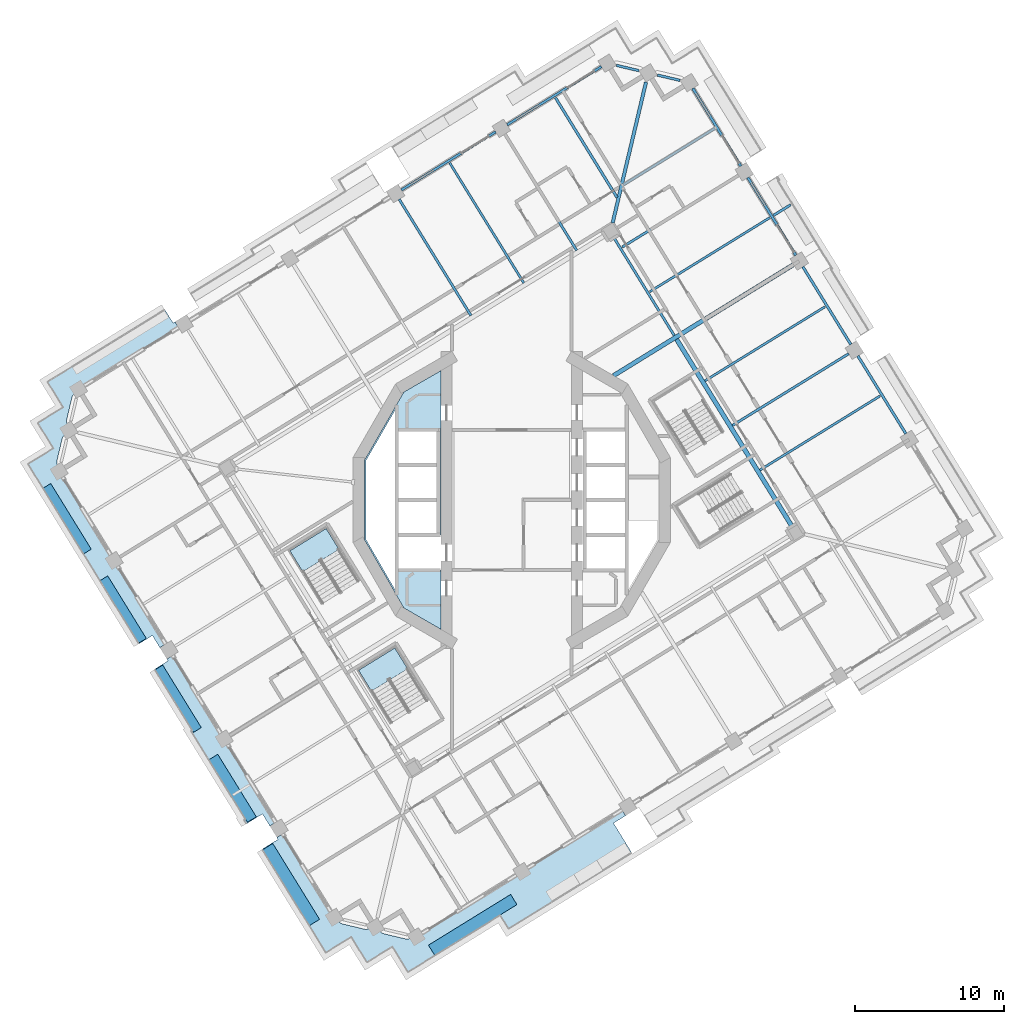
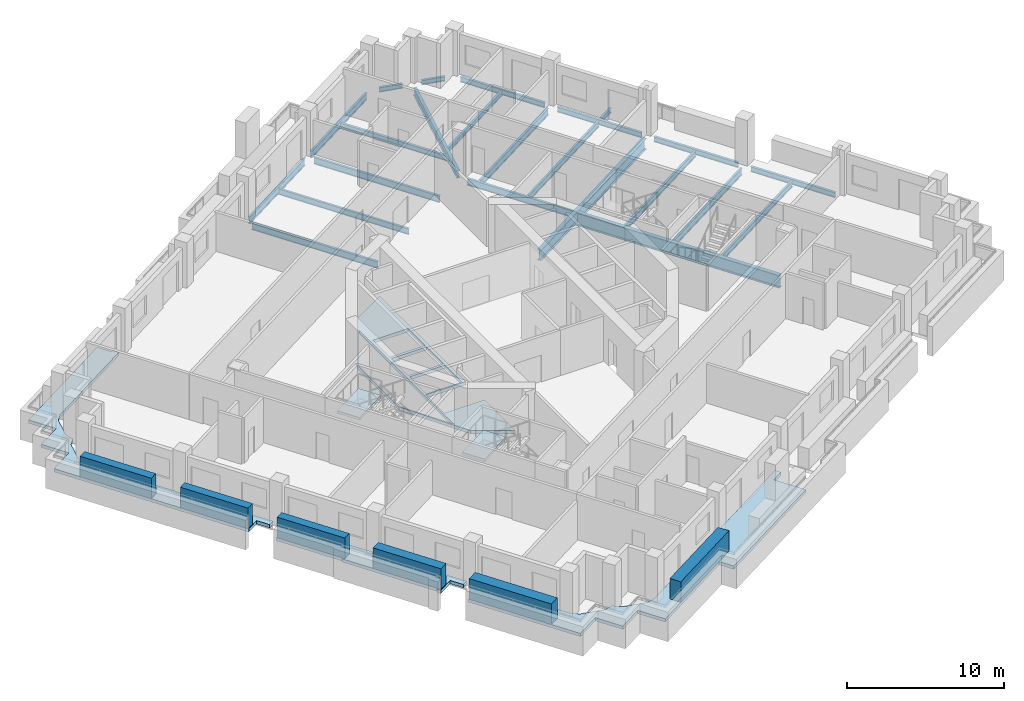
# One storey, part 2 of 20: 23 beams, 6 plates, 6 slabs, 2 elements without a shape of their own.
"""IFC4 building model written with IfcOpenShell, lengths in metres."""

from ifc_helpers import new_model, si_unit, direction, frame, origin, origin_2d, place, context, subcontext, project, spatial, polyline, rectangle, i_section, outline, extrude, material, layer, layer_set, material_profile, profile_set, type_object, element, aggregate, save


model = new_model("IFC4")

# Units and contexts
model_context = context("Model", 3, precision=1e-05, world=origin(), true_north=direction((0.0, 1.0)))
body_context = subcontext(model_context, "Body", "Model", "MODEL_VIEW")
ifc_project = project(units=[si_unit("LENGTHUNIT", "METRE"), si_unit("AREAUNIT", "SQUARE_METRE"), si_unit("VOLUMEUNIT", "CUBIC_METRE"), si_unit("PLANEANGLEUNIT", "RADIAN"), si_unit("MASSUNIT", "GRAM", prefix="KILO")], contexts=[model_context])

# Site, building, storey
site_placement = place(None, origin())
site = spatial("IfcSite", under=ifc_project, at=site_placement, CompositionType="ELEMENT")
building_placement = place(site_placement, origin())
building = spatial("IfcBuilding", under=site, at=building_placement, Name="Cantera Rosa Tower", CompositionType="ELEMENT")
storey_placement = place(building_placement, frame((0.0, 0.0, 181.800048828125)))
storey = spatial("IfcBuildingStorey", under=building, at=storey_placement, Name="L40", CompositionType="ELEMENT", Elevation=181.800048828125)

# Beams
ifc_material_1 = material(Name="Steel ASTM A992 (Fy 345 MPa)", Category="steel")
ifc_material_profile_1 = material_profile(ifc_material_1, i_section(OverallWidth=0.300048828125, OverallDepth=0.990966796875, WebThickness=0.0166015625, FlangeThickness=0.030517578125, FilletRadius=0.030029296875, at=origin_2d()), Name="W1000X272")
ifc_profile_set_1 = profile_set([ifc_material_profile_1], Name="Steel ASTM A992 (Fy 345 MPa)")
beam_type_1 = type_object("IfcBeamType", Name="STEEL BEAM W1000X272", PredefinedType="BEAM", material=ifc_profile_set_1)
beam_1_placement = place(storey_placement, frame((18.767822265625, -1.75927734375, -0.74560546875), z_axis=(-0.524974072618, 0.851118219215, 0.0), x_axis=(-0.851118219215, -0.524974072618, 0.0)))
element("IfcBeam", 1, at=beam_1_placement, inside=storey, type_object=beam_type_1, Name="RB-Z3-05 L40", PredefinedType="BEAM", context=body_context, shape_type="SweptSolid", body=[
    extrude(i_section(OverallWidth=0.300048828125, OverallDepth=0.990966796875, WebThickness=0.0166015625, FlangeThickness=0.030517578125, FilletRadius=0.030029296875, at=origin_2d()), origin(), (0.0, 0.0, 1.0), 14.7099609375),
])
ifc_material_2 = material(Name="Steel ASTM A992 (Fy 345 MPa)", Category="steel")
ifc_material_profile_2 = material_profile(ifc_material_2, i_section(OverallWidth=0.166015625, OverallDepth=0.528076171875, WebThickness=0.009765625, FlangeThickness=0.013671875, FilletRadius=0.0126953125, at=origin_2d()), Name="W530X74")
ifc_profile_set_2 = profile_set([ifc_material_profile_2], Name="Steel ASTM A992 (Fy 345 MPa)")
beam_type_2 = type_object("IfcBeamType", Name="STEEL BEAM W530X74", PredefinedType="BEAM", material=ifc_profile_set_2)
for number, where, z_axis, x_axis, name in (
    (2, (22.5673828125, 9.795654296875, -0.51416015625), (-0.851123779764, -0.524965057427, 0.0), (0.524965057427, -0.851123779764, 0.0), "G-Z3-02 L40"),
    (3, (15.19677734375, 21.745361328125, -0.51416015625), (-0.851123779764, -0.524965057427, 0.0), (0.524965057427, -0.851123779764, 0.0), "G-Z3-04 L40"),
):
    element("IfcBeam", number, at=place(storey_placement, frame(where, z_axis=z_axis, x_axis=x_axis)), inside=storey, type_object=beam_type_2, Name=name, PredefinedType="BEAM", context=body_context, shape_type="SweptSolid", body=[
        extrude(i_section(OverallWidth=0.166015625, OverallDepth=0.528076171875, WebThickness=0.009765625, FlangeThickness=0.013671875, FilletRadius=0.0126953125, at=origin_2d()), origin(), (0.0, 0.0, 1.0), 9.150146484375),
    ])
beam_2_placement = place(storey_placement, frame((-0.455078125, 24.51025390625, -0.51416015625), z_axis=(0.524976979362, -0.851116426313, 0.0), x_axis=(0.851116426313, 0.524976979362, 0.0)))
element("IfcBeam", 4, at=beam_2_placement, inside=storey, type_object=beam_type_2, Name="G-Z3-05 L40", PredefinedType="BEAM", context=body_context, shape_type="SweptSolid", body=[
    extrude(i_section(OverallWidth=0.166015625, OverallDepth=0.528076171875, WebThickness=0.009765625, FlangeThickness=0.013671875, FilletRadius=0.0126953125, at=origin_2d()), origin(), (0.0, 0.0, 1.0), 9.14990234375),
])
beam_3_placement = place(storey_placement, frame((-7.536376953125, 20.142578125, -0.51416015625), z_axis=(0.524965057427, -0.851123779764, 0.0), x_axis=(0.851123779764, 0.524965057427, 0.0)))
element("IfcBeam", 5, at=beam_3_placement, inside=storey, type_object=beam_type_2, Name="G-Z3-06 L40", PredefinedType="BEAM", context=body_context, shape_type="SweptSolid", body=[
    extrude(i_section(OverallWidth=0.166015625, OverallDepth=0.528076171875, WebThickness=0.009765625, FlangeThickness=0.013671875, FilletRadius=0.0126953125, at=origin_2d()), origin(), (0.0, 0.0, 1.0), 9.150146484375),
])
beam_4_placement = place(storey_placement, frame((10.887939453125, 11.015869140625, -0.51416015625), z_axis=(-0.52497571981, 0.851117203216, 0.0), x_axis=(-0.851117203216, -0.52497571981, 0.0)))
element("IfcBeam", 6, at=beam_4_placement, inside=storey, type_object=beam_type_2, Name="RB-Z3-06 L40", PredefinedType="BEAM", context=body_context, shape_type="SweptSolid", body=[
    extrude(i_section(OverallWidth=0.166015625, OverallDepth=0.528076171875, WebThickness=0.009765625, FlangeThickness=0.013671875, FilletRadius=0.0126953125, at=origin_2d()), origin(), (0.0, 0.0, 1.0), 7.690185546875),
])
ifc_material_3 = material(Name="Steel ASTM A992 (Fy 345 MPa)", Category="steel")
ifc_material_profile_3 = material_profile(ifc_material_3, i_section(OverallWidth=0.22802734375, OverallDepth=0.60205078125, WebThickness=0.010498046875, FlangeThickness=0.014892578125, FilletRadius=0.0126953125, at=origin_2d()), Name="W610X101")
ifc_profile_set_3 = profile_set([ifc_material_profile_3], Name="Steel ASTM A992 (Fy 345 MPa)")
beam_type_3 = type_object("IfcBeamType", Name="STEEL BEAM W610X101", PredefinedType="BEAM", material=ifc_profile_set_3)
beam_5_placement = place(storey_placement, frame((8.995361328125, 27.989501953125, -0.551025390625), z_axis=(-0.230622120091, -0.973043389436, 0.0), x_axis=(0.973043389436, -0.230622120091, 0.0)))
element("IfcBeam", 7, at=beam_5_placement, inside=storey, type_object=beam_type_3, Name="CB-Z3-01 L40", PredefinedType="BEAM", context=body_context, shape_type="SweptSolid", body=[
    extrude(i_section(OverallWidth=0.22802734375, OverallDepth=0.60205078125, WebThickness=0.010498046875, FlangeThickness=0.014892578125, FilletRadius=0.0126953125, at=origin_2d()), origin(), (0.0, 0.0, 1.0), 9.6875),
])
ifc_material_4 = material(Name="Steel ASTM A992 (Fy 345 MPa)", Category="steel")
ifc_material_profile_4 = material_profile(ifc_material_4, i_section(OverallWidth=0.2919921875, OverallDepth=0.8359375, WebThickness=0.013916015625, FlangeThickness=0.018798828125, FilletRadius=0.017822265625, at=origin_2d()), Name="W840X176")
ifc_profile_set_4 = profile_set([ifc_material_profile_4], Name="Steel ASTM A992 (Fy 345 MPa)")
beam_type_4 = type_object("IfcBeamType", Name="STEEL BEAM W840X176", PredefinedType="BEAM", material=ifc_profile_set_4)
beam_6_placement = place(storey_placement, frame((18.882080078125, 15.7705078125, -0.66796875), z_axis=(-0.8511231456, -0.524966085595, 0.0), x_axis=(0.524966085595, -0.8511231456, 0.0)))
element("IfcBeam", 8, at=beam_6_placement, inside=storey, type_object=beam_type_4, Name="G-Z3-03 L40", PredefinedType="BEAM", context=body_context, shape_type="SweptSolid", body=[
    extrude(i_section(OverallWidth=0.2919921875, OverallDepth=0.8359375, WebThickness=0.013916015625, FlangeThickness=0.018798828125, FilletRadius=0.017822265625, at=origin_2d()), origin(), (0.0, 0.0, 1.0), 14.17138671875),
])
ifc_material_5 = material(Name="Steel ASTM A992 (Fy 345 MPa)", Category="steel")
ifc_material_profile_5 = material_profile(ifc_material_5, i_section(OverallWidth=0.1708984375, OverallDepth=0.35595703125, WebThickness=0.00732421875, FlangeThickness=0.01171875, FilletRadius=0.010009765625, at=origin_2d()), Name="W360X51")
ifc_profile_set_5 = profile_set([ifc_material_profile_5], Name="Steel ASTM A992 (Fy 345 MPa)")
beam_type_5 = type_object("IfcBeamType", Name="STEEL JOIST W360X51", PredefinedType="JOIST", material=ifc_profile_set_5)
beam_7_placement = place(storey_placement, frame((13.609375, 24.890380859375, -0.427978515625), z_axis=(-0.851109089911, -0.524988873283, 0.0), x_axis=(0.524988873283, -0.851109089911, 0.0)))
element("IfcBeam", 9, at=beam_7_placement, inside=storey, type_object=beam_type_5, Name="B-Z3-05 L40", PredefinedType="JOIST", context=body_context, shape_type="SweptSolid", body=[
    extrude(i_section(OverallWidth=0.1708984375, OverallDepth=0.35595703125, WebThickness=0.00732421875, FlangeThickness=0.01171875, FilletRadius=0.010009765625, at=origin_2d()), origin(), (0.0, 0.0, 1.0), 7.2099609375),
])
beam_8_placement = place(storey_placement, frame((17.532958984375, 19.0625, -0.427978515625), z_axis=(0.851111635158, 0.52498474692, 0.0), x_axis=(-0.52498474692, 0.851111635158, 0.0)))
element("IfcBeam", 10, at=beam_8_placement, inside=storey, type_object=beam_type_5, Name="BS-Z3-26 L40", PredefinedType="JOIST", context=body_context, shape_type="SweptSolid", body=[
    extrude(i_section(OverallWidth=0.1708984375, OverallDepth=0.35595703125, WebThickness=0.00732421875, FlangeThickness=0.01171875, FilletRadius=0.010009765625, at=origin_2d()), origin(), (0.0, 0.0, 1.0), 1.3505859375),
])
ifc_material_6 = material(Name="Steel ASTM A992 (Fy 345 MPa)", Category="steel")
ifc_material_profile_6 = material_profile(ifc_material_6, i_section(OverallWidth=0.177978515625, OverallDepth=0.406005859375, WebThickness=0.0078125, FlangeThickness=0.0126953125, FilletRadius=0.01025390625, at=origin_2d()), Name="W410X60")
ifc_profile_set_6 = profile_set([ifc_material_profile_6], Name="Steel ASTM A992 (Fy 345 MPa)")
beam_type_6 = type_object("IfcBeamType", Name="STEEL JOIST W410X60", PredefinedType="JOIST", material=ifc_profile_set_6)
beam_9_placement = place(storey_placement, frame((2.927978515625, 26.949462890625, -0.453125), z_axis=(0.524994840515, -0.85110540912, 0.0), x_axis=(0.85110540912, 0.524994840515, 0.0)))
element("IfcBeam", 11, at=beam_9_placement, inside=storey, type_object=beam_type_6, Name="B-Z3-06 L40", PredefinedType="JOIST", context=body_context, shape_type="SweptSolid", body=[
    extrude(i_section(OverallWidth=0.177978515625, OverallDepth=0.406005859375, WebThickness=0.0078125, FlangeThickness=0.0126953125, FilletRadius=0.01025390625, at=origin_2d()), origin(), (0.0, 0.0, 1.0), 7.860107421875),
])
ifc_material_7 = material(Name="Steel ASTM A992 (Fy 345 MPa)", Category="steel")
ifc_material_profile_7 = material_profile(ifc_material_7, i_section(OverallWidth=0.154052734375, OverallDepth=0.4599609375, WebThickness=0.009033203125, FlangeThickness=0.015380859375, FilletRadius=0.01025390625, at=origin_2d()), Name="W460X68")
ifc_profile_set_7 = profile_set([ifc_material_profile_7], Name="Steel ASTM A992 (Fy 345 MPa)")
beam_type_7 = type_object("IfcBeamType", Name="STEEL JOIST W460X68", PredefinedType="JOIST", material=ifc_profile_set_7)
for number, where, z_axis, x_axis, name in (
    (12, (24.665283203125, 6.9658203125, -0.47998046875), (-0.851118539758, -0.524973552935, 0.0), (0.524973552935, -0.851118539758, 0.0), "B-Z3-02 L40"),
    (13, (20.97998046875, 12.940673828125, -0.47998046875), (-0.851118539758, -0.524973552935, 0.0), (0.524973552935, -0.851118539758, 0.0), "B-Z3-03 L40"),
    (14, (17.294677734375, 18.91552734375, -0.47998046875), (-0.851118539758, -0.524973552935, 0.0), (0.524973552935, -0.851118539758, 0.0), "B-Z3-04 L40"),
):
    element("IfcBeam", number, at=place(storey_placement, frame(where, z_axis=z_axis, x_axis=x_axis)), inside=storey, type_object=beam_type_7, Name=name, PredefinedType="JOIST", context=body_context, shape_type="SweptSolid", body=[
        extrude(i_section(OverallWidth=0.154052734375, OverallDepth=0.4599609375, WebThickness=0.009033203125, FlangeThickness=0.015380859375, FilletRadius=0.01025390625, at=origin_2d()), origin(), (0.0, 0.0, 1.0), 9.449951171875),
    ])
beam_10_placement = place(storey_placement, frame((-4.1533203125, 22.581787109375, -0.47998046875), z_axis=(0.524980724235, -0.851114116427, 0.0), x_axis=(0.851114116427, 0.524980724235, 0.0)))
element("IfcBeam", 15, at=beam_10_placement, inside=storey, type_object=beam_type_7, Name="B-Z3-07 L40", PredefinedType="JOIST", context=body_context, shape_type="SweptSolid", body=[
    extrude(i_section(OverallWidth=0.154052734375, OverallDepth=0.4599609375, WebThickness=0.009033203125, FlangeThickness=0.015380859375, FilletRadius=0.01025390625, at=origin_2d()), origin(), (0.0, 0.0, 1.0), 9.4501953125),
])
ifc_material_8 = material(Name="Steel ASTM A992 (Fy 345 MPa)", Category="steel")
ifc_material_profile_8 = material_profile(ifc_material_8, i_section(OverallWidth=0.1708984375, OverallDepth=0.35595703125, WebThickness=0.00732421875, FlangeThickness=0.01171875, FilletRadius=0.010009765625, at=origin_2d()), Name="W360X51")
ifc_profile_set_8 = profile_set([ifc_material_profile_8], Name="Steel ASTM A992 (Fy 345 MPa)")
beam_type_8 = type_object("IfcBeamType", Name="STEEL SPANDREL BEAM W360X51", PredefinedType="SPANDREL", material=ifc_profile_set_8)
for number, where, z_axis, x_axis, name in (
    (16, (11.275146484375, 28.103271484375, -0.427978515625), (-0.973059906546, 0.230552419793, 0.0), (-0.230552419793, -0.973059906546, 0.0), "EB-Z3-06 L40"),
    (17, (8.52294921875, 28.755615234375, -0.427978515625), (-0.973059906546, 0.230552419793, 0.0), (-0.230552419793, -0.973059906546, 0.0), "EB-Z3-07 L40"),
):
    element("IfcBeam", number, at=place(storey_placement, frame(where, z_axis=z_axis, x_axis=x_axis)), inside=storey, type_object=beam_type_8, Name=name, PredefinedType="SPANDREL", context=body_context, shape_type="SweptSolid", body=[
        extrude(i_section(OverallWidth=0.1708984375, OverallDepth=0.35595703125, WebThickness=0.00732421875, FlangeThickness=0.01171875, FilletRadius=0.010009765625, at=origin_2d()), origin(), (0.0, 0.0, 1.0), 1.5556640625),
    ])
ifc_material_9 = material(Name="Steel ASTM A992 (Fy 345 MPa)", Category="steel")
ifc_material_profile_9 = material_profile(ifc_material_9, i_section(OverallWidth=0.177978515625, OverallDepth=0.406005859375, WebThickness=0.0078125, FlangeThickness=0.0126953125, FilletRadius=0.01025390625, at=origin_2d()), Name="W410X60")
ifc_profile_set_9 = profile_set([ifc_material_profile_9], Name="Steel ASTM A992 (Fy 345 MPa)")
beam_type_9 = type_object("IfcBeamType", Name="STEEL SPANDREL BEAM W410X60", PredefinedType="SPANDREL", material=ifc_profile_set_9)
for number, where, z_axis, x_axis, name in (
    (18, (26.3994140625, 4.440185546875, -0.453125), (-0.524987447654, 0.851109969279, 0.0), (-0.851109969279, -0.524987447654, 0.0), "EB-Z3-02 L40"),
    (19, (22.714111328125, 10.4150390625, -0.453125), (-0.524987447654, 0.851109969279, 0.0), (-0.851109969279, -0.524987447654, 0.0), "EB-Z3-03 L40"),
    (20, (19.02880859375, 16.389892578125, -0.453125), (-0.524987447654, 0.851109969279, 0.0), (-0.851109969279, -0.524987447654, 0.0), "EB-Z3-04 L40"),
    (21, (15.343505859375, 22.36474609375, -0.453125), (-0.524987447654, 0.851109969279, 0.0), (-0.851109969279, -0.524987447654, 0.0), "EB-Z3-05 L40"),
):
    element("IfcBeam", number, at=place(storey_placement, frame(where, z_axis=z_axis, x_axis=x_axis)), inside=storey, type_object=beam_type_9, Name=name, PredefinedType="SPANDREL", context=body_context, shape_type="SweptSolid", body=[
        extrude(i_section(OverallWidth=0.177978515625, OverallDepth=0.406005859375, WebThickness=0.0078125, FlangeThickness=0.0126953125, FilletRadius=0.01025390625, at=origin_2d()), origin(), (0.0, 0.0, 1.0), 6.119873046875),
    ])
ifc_material_10 = material(Name="Steel ASTM A992 (Fy 345 MPa)", Category="steel")
ifc_material_profile_10 = material_profile(ifc_material_10, i_section(OverallWidth=0.166015625, OverallDepth=0.528076171875, WebThickness=0.009765625, FlangeThickness=0.013671875, FilletRadius=0.0126953125, at=origin_2d()), Name="W530X74")
ifc_profile_set_10 = profile_set([ifc_material_profile_10], Name="Steel ASTM A992 (Fy 345 MPa)")
beam_type_10 = type_object("IfcBeamType", Name="STEEL SPANDREL BEAM W530X74", PredefinedType="SPANDREL", material=ifc_profile_set_10)
for number, where, z_axis, x_axis, name in (
    (22, (6.007080078125, 29.02490234375, -0.51416015625), (-0.851111085575, -0.524985637909, 0.0), (0.524985637909, -0.851111085575, 0.0), "EB-Z3-08 L40"),
    (23, (-1.07421875, 24.656982421875, -0.51416015625), (-0.85112578684, -0.524961803349, 0.0), (0.524961803349, -0.85112578684, 0.0), "EB-Z3-09 L40"),
):
    element("IfcBeam", number, at=place(storey_placement, frame(where, z_axis=z_axis, x_axis=x_axis)), inside=storey, type_object=beam_type_10, Name=name, PredefinedType="SPANDREL", context=body_context, shape_type="SweptSolid", body=[
        extrude(i_section(OverallWidth=0.166015625, OverallDepth=0.528076171875, WebThickness=0.009765625, FlangeThickness=0.013671875, FilletRadius=0.0126953125, at=origin_2d()), origin(), (0.0, 0.0, 1.0), 7.420166015625),
    ])

# Slabs
ifc_material_11 = material(Name="Concrete C35/45", Category="concrete")
ifc_layer_1 = layer(ifc_material_11, 0.25)
ifc_layer_set_1 = layer_set([ifc_layer_1], Name="COMPOSITE FLOOR SLAB 250 C35/45")
slab_type_1 = type_object("IfcSlabType", Name="COMPOSITE FLOOR SLAB 250 C35/45", PredefinedType="FLOOR", material=ifc_layer_set_1)
slab_1_placement = place(storey_placement, frame((0.0, 0.0, -0.25)))
element("IfcSlab", 24, at=slab_1_placement, inside=storey, type_object=slab_type_1, Name="SLAB L40 floor 1", PredefinedType="FLOOR", context=body_context, shape_type="SweptSolid", body=[
    extrude(outline(polyline([(-7.699951171875, -4.699951171875), (-4.75, -4.699951171875), (-4.75, -8.660400390625), (-7.22900390625, -7.22900390625), (-9.875244140625, -2.64599609375), (-9.875244140625, 2.64599609375), (-7.22900390625, 7.22900390625), (-4.75, 8.660400390625), (-4.75, -2.35009765625), (-7.699951171875, -2.35009765625), (-7.699951171875, -4.699951171875)]), holes=[polyline([(-7.60009765625, -2.25), (-5.0, -2.25), (-5.0, -0.10009765625), (-7.60009765625, -0.10009765625), (-7.60009765625, -2.25)]), polyline([(-9.775146484375, 2.619384765625), (-9.775146484375, -2.619384765625), (-7.800048828125, -6.040283203125), (-7.800048828125, 6.040283203125), (-9.775146484375, 2.619384765625)]), polyline([(-7.60009765625, 0.10009765625), (-5.0, 0.10009765625), (-5.0, 2.25), (-7.60009765625, 2.25), (-7.60009765625, 0.10009765625)]), polyline([(-7.60009765625, 2.449951171875), (-5.0, 2.449951171875), (-5.0, 4.60009765625), (-7.60009765625, 4.60009765625), (-7.60009765625, 2.449951171875)])]), origin(), (0.0, 0.0, 1.0), 0.25),
])
ifc_material_12 = material(Name="Concrete C35/45", Category="concrete")
ifc_layer_2 = layer(ifc_material_12, 0.25)
ifc_layer_set_2 = layer_set([ifc_layer_2], Name="LOGGIA SLAB 250 C35/45")
slab_type_2 = type_object("IfcSlabType", Name="LOGGIA SLAB 250 C35/45", PredefinedType="FLOOR", material=ifc_layer_set_2)
slab_2_placement = place(storey_placement, frame((0.0, 0.0, -0.25)))
element("IfcSlab", 25, at=slab_2_placement, inside=storey, type_object=slab_type_2, Name="LOGGIA SLAB L40 1", PredefinedType="FLOOR", context=body_context, shape_type="SweptSolid", body=[
    extrude(outline(polyline([(-31.1083984375, 3.1943359375), (-30.682861328125, 3.456787109375), (-30.9453125, 3.88232421875), (-31.73291015625, 5.1591796875), (-30.456298828125, 5.946533203125), (-30.03076171875, 6.208984375), (-30.293212890625, 6.634521484375), (-31.08056640625, 7.911376953125), (-29.803955078125, 8.69873046875), (-23.999267578125, 12.279052734375), (-23.2333984375, 12.75146484375), (-22.68212890625, 11.85791015625), (-22.554443359375, 11.9365234375), (-22.318115234375, 11.5537109375), (-29.0166015625, 7.422119140625), (-29.38818359375, 7.00146484375), (-29.406494140625, 6.978515625), (-29.422607421875, 6.953857421875), (-29.43603515625, 6.927490234375), (-29.447021484375, 6.900390625), (-29.455078125, 6.8720703125), (-29.81396484375, 5.3583984375), (-29.8193359375, 5.329345703125), (-29.82177734375, 5.300048828125), (-29.8212890625, 5.2705078125), (-29.818115234375, 5.2412109375), (-29.81201171875, 5.21240234375), (-29.668701171875, 4.669921875), (-30.040283203125, 4.249267578125), (-30.05859375, 4.226318359375), (-30.07470703125, 4.20166015625), (-30.08837890625, 4.17529296875), (-30.09912109375, 4.148193359375), (-30.107421875, 4.119873046875), (-30.46630859375, 2.606201171875), (-30.4716796875, 2.5771484375), (-30.47412109375, 2.5478515625), (-30.4736328125, 2.518310546875), (-30.470458984375, 2.489013671875), (-30.46435546875, 2.460205078125), (-30.321044921875, 1.917724609375), (-23.1865234375, -9.64892578125), (-23.569580078125, -9.88525390625), (-24.068359375, -9.07666015625), (-24.9619140625, -9.6279296875), (-25.014404296875, -9.542724609375), (-27.125, -6.121337890625), (-28.69970703125, -3.568115234375), (-31.59765625, 1.130126953125), (-32.38525390625, 2.406982421875), (-31.1083984375, 3.1943359375)])), origin(), (0.0, 0.0, 1.0), 0.25),
])
slab_3_placement = place(storey_placement, frame((0.0, 0.0, -0.25)))
element("IfcSlab", 26, at=slab_3_placement, inside=storey, type_object=slab_type_2, Name="LOGGIA SLAB L40 2", PredefinedType="FLOOR", context=body_context, shape_type="SweptSolid", body=[
    extrude(outline(polyline([(-23.912109375, -11.330078125), (-23.018310546875, -10.77880859375), (-23.09716796875, -10.651123046875), (-22.714111328125, -10.4150390625), (-15.81591796875, -21.5986328125), (-16.198974609375, -21.8349609375), (-16.69775390625, -21.0263671875), (-17.76171875, -21.6826171875), (-17.9189453125, -21.42724609375), (-17.834228515625, -21.375), (-21.46728515625, -15.48486328125), (-21.3818359375, -15.432373046875), (-23.439697265625, -12.09619140625), (-23.912109375, -11.330078125)])), origin(), (0.0, 0.0, 1.0), 0.25),
])
slab_4_placement = place(storey_placement, frame((0.0, 0.0, -0.25)))
element("IfcSlab", 27, at=slab_4_placement, inside=storey, type_object=slab_type_2, Name="LOGGIA SLAB L40 4", PredefinedType="FLOOR", context=body_context, shape_type="SweptSolid", body=[
    extrude(outline(polyline([(-7.994384765625, -29.898193359375), (-8.249755859375, -30.0556640625), (-9.696533203125, -30.9482421875), (-10.589111328125, -29.501220703125), (-10.74658203125, -29.245849609375), (-11.001953125, -29.4033203125), (-12.44873046875, -30.2958984375), (-13.34130859375, -28.84912109375), (-16.711669921875, -23.384765625), (-15.647705078125, -22.728515625), (-15.7265625, -22.600830078125), (-15.343505859375, -22.36474609375), (-12.408935546875, -27.122314453125), (-11.894287109375, -27.95654296875), (-11.4736328125, -28.328125), (-11.45068359375, -28.346435546875), (-11.426025390625, -28.362548828125), (-11.39990234375, -28.376220703125), (-11.37255859375, -28.386962890625), (-11.34423828125, -28.395263671875), (-9.83056640625, -28.75390625), (-9.801513671875, -28.75927734375), (-9.772216796875, -28.76171875), (-9.742919921875, -28.761474609375), (-9.713623046875, -28.75830078125), (-9.684814453125, -28.752197265625), (-9.14208984375, -28.60888671875), (-8.721435546875, -28.98046875), (-8.698486328125, -28.998779296875), (-8.673828125, -29.014892578125), (-8.647705078125, -29.0283203125), (-8.620361328125, -29.039306640625), (-8.592041015625, -29.047607421875), (-7.078369140625, -29.40625), (-7.049560546875, -29.41162109375), (-7.02001953125, -29.4140625), (-6.99072265625, -29.413818359375), (-6.96142578125, -29.410400390625), (-6.9326171875, -29.404296875), (-6.389892578125, -29.260986328125), (7.3896484375, -20.76171875), (7.625732421875, -21.144775390625), (6.8173828125, -21.643310546875), (8.03369140625, -23.615478515625), (-0.211181640625, -28.701171875), (-0.771484375, -27.79296875), (-5.49755859375, -30.7080078125), (-6.9443359375, -31.600341796875), (-7.8369140625, -30.153564453125), (-7.994384765625, -29.898193359375)])), origin(), (0.0, 0.0, 1.0), 0.25),
])

# Plates
ifc_material_13 = material(Name="Cantera stone planter with soil", Category="masonry")
plate_type_1 = type_object("IfcPlateType", Name="PLANTER 600", PredefinedType="USERDEFINED", material=ifc_material_13)
plate_1_placement = place(storey_placement, frame((-29.775390625, -1.2529296875, 0.0), z_axis=(0.0, 0.0, 1.0), x_axis=(0.52497658034, -0.851116672434, 0.0)))
element("IfcPlate", 28, at=plate_1_placement, inside=storey, type_object=plate_type_1, Name="PLANTER L40-11", ObjectType="PLANTER", PredefinedType="USERDEFINED", context=body_context, shape_type="SweptSolid", body=[
    extrude(rectangle(XDim=5.169921875, YDim=0.60009765625, at=origin_2d()), origin(), (0.0, 0.0, 1.0), 1.60009765625),
])
for number, where, z_axis, x_axis, name in (
    (29, (-26.0244140625, -7.333984375, 0.0), (0.0, 0.0, 1.0), (0.52497658034, -0.851116672434, 0.0), "PLANTER L40-12"),
    (30, (-22.339111328125, -13.308837890625, 0.0), (0.0, 0.0, 1.0), (0.52497658034, -0.851116672434, 0.0), "PLANTER L40-13"),
):
    element("IfcPlate", number, at=place(storey_placement, frame(where, z_axis=z_axis, x_axis=x_axis)), inside=storey, type_object=plate_type_1, Name=name, ObjectType="PLANTER", PredefinedType="USERDEFINED", context=body_context, shape_type="SweptSolid", body=[
        extrude(rectangle(XDim=4.919921875, YDim=0.60009765625, at=origin_2d()), origin(), (0.0, 0.0, 1.0), 1.60009765625),
    ])
ifc_material_14 = material(Name="Cantera stone planter with soil", Category="masonry")
plate_type_2 = type_object("IfcPlateType", Name="PLANTER 700", PredefinedType="USERDEFINED", material=ifc_material_14)
plate_2_placement = place(storey_placement, frame((-18.696533203125, -19.310302734375, 0.0), z_axis=(0.0, 0.0, 1.0), x_axis=(0.52497658034, -0.851116672434, 0.0)))
element("IfcPlate", 31, at=plate_2_placement, inside=storey, type_object=plate_type_2, Name="PLANTER L40-14", ObjectType="PLANTER", PredefinedType="USERDEFINED", context=body_context, shape_type="SweptSolid", body=[
    extrude(rectangle(XDim=4.919921875, YDim=0.699951171875, at=origin_2d()), origin(), (0.0, 0.0, 1.0), 1.60009765625),
])
ifc_material_15 = material(Name="Cantera stone planter with soil", Category="masonry")
plate_type_3 = type_object("IfcPlateType", Name="PLANTER 800", PredefinedType="USERDEFINED", material=ifc_material_15)
plate_3_placement = place(storey_placement, frame((-14.77783203125, -25.758056640625, 0.0), z_axis=(0.0, 0.0, 1.0), x_axis=(0.52497658034, -0.851116672434, 0.0)))
element("IfcPlate", 32, at=plate_3_placement, inside=storey, type_object=plate_type_3, Name="PLANTER L40-15", ObjectType="PLANTER", PredefinedType="USERDEFINED", context=body_context, shape_type="SweptSolid", body=[
    extrude(rectangle(XDim=5.969970703125, YDim=0.800048828125, at=origin_2d()), origin(), (0.0, 0.0, 1.0), 1.60009765625),
])
plate_4_placement = place(storey_placement, frame((-2.61376953125, -28.459228515625, 0.0), z_axis=(0.0, 0.0, 1.0), x_axis=(0.851116672434, 0.52497658034, 0.0)))
element("IfcPlate", 33, at=plate_4_placement, inside=storey, type_object=plate_type_3, Name="PLANTER L40-16", ObjectType="PLANTER", PredefinedType="USERDEFINED", context=body_context, shape_type="SweptSolid", body=[
    extrude(rectangle(XDim=6.469970703125, YDim=0.800048828125, at=origin_2d()), origin(), (0.0, 0.0, 1.0), 1.60009765625),
])

# Stair, slab
ifc_material_16 = material(Name="Concrete C35/45", Category="concrete")
stair_type = type_object("IfcStairType", Name="EXIT STAIR 1350 DOGLEG", PredefinedType="HALF_TURN_STAIR", material=ifc_material_16)
stair_1_placement = place(storey_placement, origin())
stair_1 = element("IfcStair", 34, at=stair_1_placement, inside=storey, type_object=stair_type, Name="L40 ST-32", PredefinedType="HALF_TURN_STAIR")
ifc_material_17 = material(Name="Concrete C35/45", Category="concrete")
ifc_layer_3 = layer(ifc_material_17, 0.199951171875)
ifc_layer_set_3 = layer_set([ifc_layer_3], Name="STAIR LANDING 200")
slab_type_3 = type_object("IfcSlabType", Name="STAIR LANDING 200", PredefinedType="LANDING", material=ifc_layer_set_3)
slab_5_placement = place(storey_placement, frame((0.0, 0.0, 1.699951171875)))
slab_5 = element("IfcSlab", 35, at=slab_5_placement, type_object=slab_type_3, Name="ST-32 landing 1", PredefinedType="LANDING", context=body_context, shape_type="SweptSolid", body=[
    extrude(outline(polyline([(-11.56884765625, -3.308837890625), (-12.430908203125, -1.911376953125), (-14.8564453125, -3.407470703125), (-13.99462890625, -4.80517578125), (-11.56884765625, -3.308837890625)])), origin(), (0.0, 0.0, 1.0), 0.199951171875),
])
aggregate(stair_1, [slab_5])

stair_2_placement = place(storey_placement, origin())
stair_2 = element("IfcStair", 36, at=stair_2_placement, inside=storey, type_object=stair_type, Name="L40 ST-33", PredefinedType="HALF_TURN_STAIR")
slab_6_placement = place(storey_placement, frame((0.0, 0.0, 1.699951171875)))
slab_6 = element("IfcSlab", 37, at=slab_6_placement, type_object=slab_type_3, Name="ST-33 landing 1", PredefinedType="LANDING", context=body_context, shape_type="SweptSolid", body=[
    extrude(outline(polyline([(-6.96875, -11.308837890625), (-7.830810546875, -9.911376953125), (-10.256591796875, -11.407470703125), (-9.39453125, -12.80517578125), (-6.96875, -11.308837890625)])), origin(), (0.0, 0.0, 1.0), 0.199951171875),
])
aggregate(stair_2, [slab_6])

save(model, "model.ifc")
